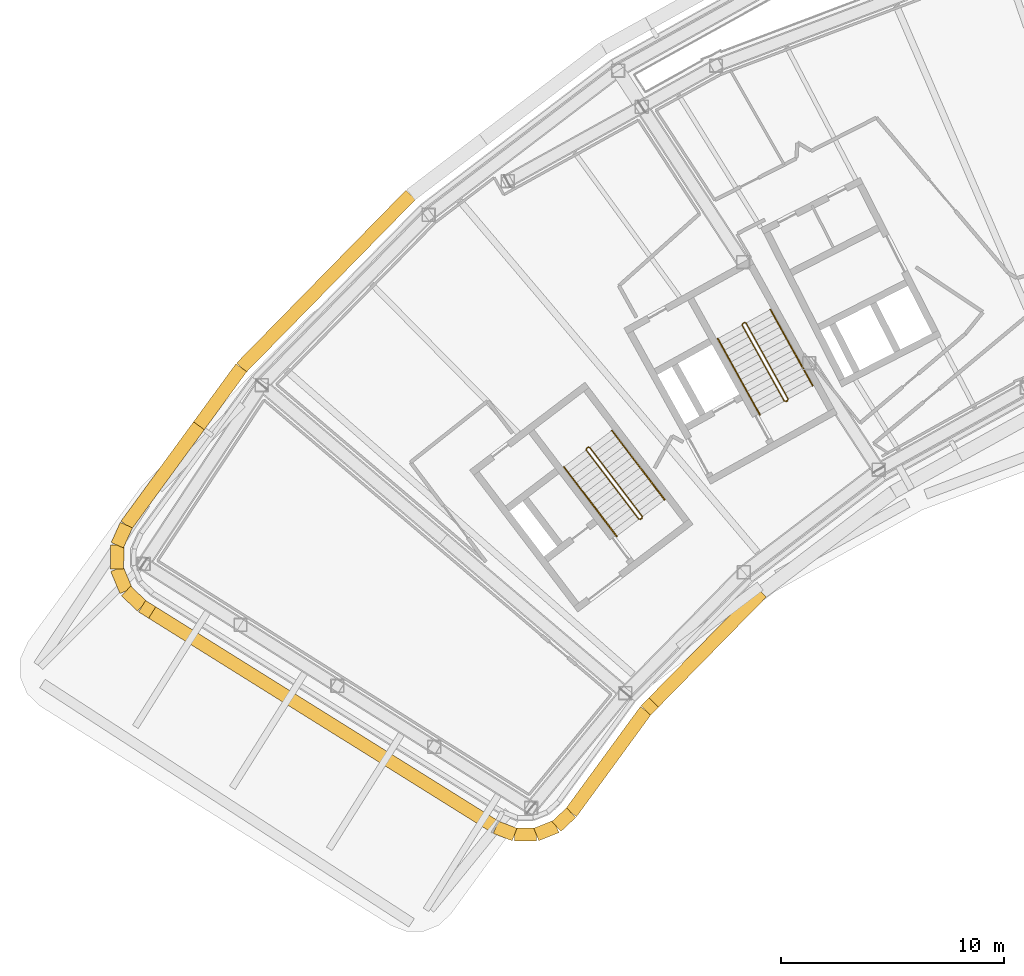
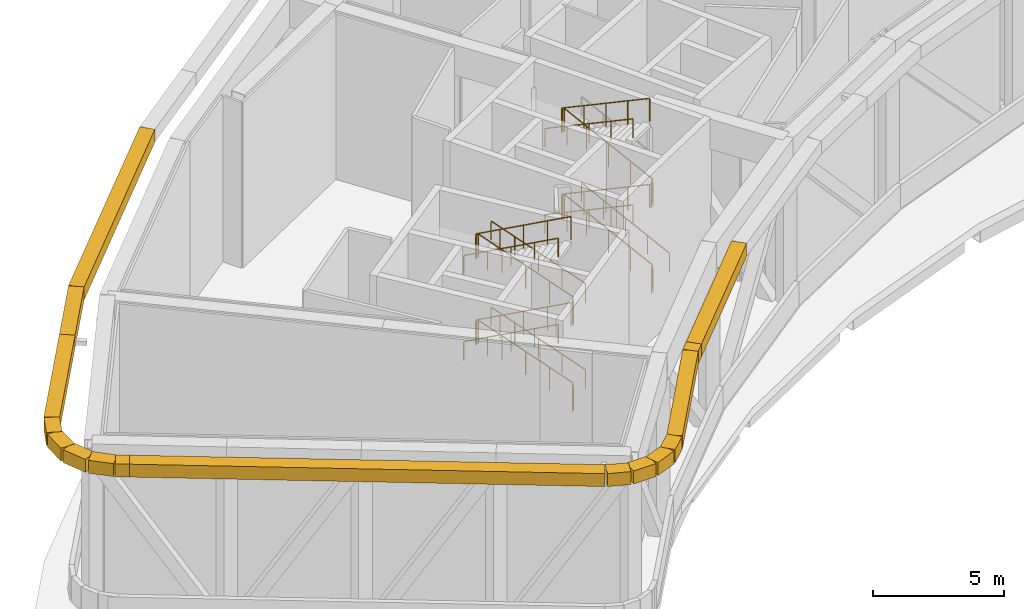
# One storey, part 21 of 27: 16 coverings, 9 railings.
"""IFC4 building model written with IfcOpenShell, lengths in metres."""

from ifc_helpers import new_model, si_unit, direction, frame, origin, origin_2d, place, context, subcontext, project, spatial, rectangle, circle, extrude, material, material_profile, profile_set, type_object, element, save


model = new_model("IFC4")

# Units and contexts
model_context = context("Model", 3, precision=1e-05, world=origin(), true_north=direction((0.0, 1.0)))
body_context = subcontext(model_context, "Body", "Model", "MODEL_VIEW")
ifc_project = project(units=[si_unit("LENGTHUNIT", "METRE"), si_unit("AREAUNIT", "SQUARE_METRE"), si_unit("VOLUMEUNIT", "CUBIC_METRE"), si_unit("PLANEANGLEUNIT", "RADIAN"), si_unit("MASSUNIT", "GRAM", prefix="KILO")], contexts=[model_context])

# Site, building, storey
site_placement = place(None, origin())
site = spatial("IfcSite", under=ifc_project, at=site_placement, CompositionType="ELEMENT")
building_placement = place(site_placement, origin())
building = spatial("IfcBuilding", under=site, at=building_placement, Name="Tuul Gate Civic Tower", CompositionType="ELEMENT")
storey_placement = place(building_placement, frame((0.0, 0.0, 201.5)))
storey = spatial("IfcBuildingStorey", under=building, at=storey_placement, Name="Wind floor 1", CompositionType="ELEMENT", Elevation=201.5)

# Railings
ifc_material_1 = material(Name="Painted steel", Category="steel")
railing_type_1 = type_object("IfcRailingType", Name="Stair guard", PredefinedType="GUARDRAIL", material=ifc_material_1)
railing_1_placement = place(storey_placement, frame((-33.382080078125, -13.515380859375, 0.0)))
element("IfcRailing", 1, at=railing_1_placement, inside=storey, type_object=railing_type_1, Name="Wind floor 1 ST-1 stair guard 1", PredefinedType="GUARDRAIL", context=body_context, shape_type="SweptSolid", body=[
    extrude(circle(Radius=0.02392578125, at=origin_2d()), frame((0.0, 0.0, 1.076171875), z_axis=(-0.795879841968, -0.605454603706, 0.0), x_axis=(0.605454603706, -0.795879841968, 0.0)), (0.0, 0.0, 1.0), 0.10009765625),
    extrude(circle(Radius=0.02392578125, at=origin_2d()), frame((-0.07958984375, -0.060546875, 1.076171875), z_axis=(0.418223097121, 0.613011936876, 0.670302772098), x_axis=(-0.826063974707, 0.563576356576, 0.0)), (0.0, 0.0, 1.0), 0.213134765625),
    extrude(circle(Radius=0.02392578125, at=origin_2d()), frame((0.009521484375, 0.070068359375, 1.21875), z_axis=(-0.546928435386, 0.718348704532, 0.429935373357), x_axis=(-0.795637165283, -0.60577347352, 0.0)), (0.0, 0.0, 1.0), 4.319580078125),
    extrude(circle(Radius=0.02392578125, at=origin_2d()), frame((-2.35302734375, 3.173095703125, 3.076171875), z_axis=(-0.990893089246, 0.134650977284, 0.0), x_axis=(-0.134650977284, -0.990893089246, 0.0)), (0.0, 0.0, 1.0), 0.07080078125),
    extrude(circle(Radius=0.02392578125, at=origin_2d()), frame((-2.423095703125, 3.1826171875, 3.076171875), z_axis=(-0.793802879778, -0.60817512943, 0.0), x_axis=(0.60817512943, -0.793802879778, 0.0)), (0.0, 0.0, 1.0), 0.099853515625),
    extrude(circle(Radius=0.02392578125, at=origin_2d()), frame((-2.50244140625, 3.121826171875, 3.076171875), z_axis=(-0.059744949149, -0.439661548869, 0.896174237242), x_axis=(0.990893089246, -0.134650977284, 0.0)), (0.0, 0.0, 1.0), 0.159423828125),
    extrude(circle(Radius=0.02392578125, at=origin_2d()), frame((-2.511962890625, 3.0517578125, 3.21875), z_axis=(0.546911027036, -0.718343555457, 0.429966120573), x_axis=(0.795644365679, 0.605764016233, 0.0)), (0.0, 0.0, 1.0), 4.3193359375),
    extrude(circle(Radius=0.02392578125, at=origin_2d()), frame((-0.149658203125, -0.051025390625, 5.076171875), z_axis=(0.946499470085, 0.32270536582, 0.0), x_axis=(-0.32270536582, 0.946499470085, 0.0)), (0.0, 0.0, 1.0), 0.158203125),
    extrude(circle(Radius=0.02392578125, at=origin_2d()), frame((0.0, 0.0, 5.076171875), z_axis=(-0.795879841968, -0.605454603706, 0.0), x_axis=(0.605454603706, -0.795879841968, 0.0)), (0.0, 0.0, 1.0), 0.10009765625),
    extrude(circle(Radius=0.02392578125, at=origin_2d()), frame((-0.07958984375, -0.060546875, 5.076171875), z_axis=(0.418223097121, 0.613011936876, 0.670302772098), x_axis=(-0.826063974707, 0.563576356576, 0.0)), (0.0, 0.0, 1.0), 0.213134765625),
    extrude(circle(Radius=0.02392578125, at=origin_2d()), frame((0.009521484375, 0.070068359375, 5.21875), z_axis=(-0.546928435386, 0.718348704532, 0.429935373357), x_axis=(-0.795637165283, -0.60577347352, 0.0)), (0.0, 0.0, 1.0), 4.319580078125),
    extrude(circle(Radius=0.02392578125, at=origin_2d()), frame((-2.35302734375, 3.173095703125, 7.076171875), z_axis=(-0.990893089246, 0.134650977284, 0.0), x_axis=(-0.134650977284, -0.990893089246, 0.0)), (0.0, 0.0, 1.0), 0.07080078125),
    extrude(circle(Radius=0.02392578125, at=origin_2d()), frame((-2.423095703125, 3.1826171875, 7.076171875), z_axis=(-0.793802879778, -0.60817512943, 0.0), x_axis=(0.60817512943, -0.793802879778, 0.0)), (0.0, 0.0, 1.0), 0.099853515625),
    extrude(circle(Radius=0.02392578125, at=origin_2d()), frame((-2.50244140625, 3.121826171875, 7.076171875), z_axis=(-0.059744949149, -0.439661548869, 0.896174237242), x_axis=(0.990893089246, -0.134650977284, 0.0)), (0.0, 0.0, 1.0), 0.159423828125),
    extrude(circle(Radius=0.02392578125, at=origin_2d()), frame((-2.511962890625, 3.0517578125, 7.21875), z_axis=(0.546911027036, -0.718343555457, 0.429966120573), x_axis=(0.795644365679, 0.605764016233, 0.0)), (0.0, 0.0, 1.0), 4.3193359375),
    extrude(circle(Radius=0.02099609375, at=origin_2d()), origin(), (0.0, 0.0, 1.0), 1.052001953125),
    extrude(circle(Radius=0.02099609375, at=origin_2d()), frame((-0.07958984375, -0.060546875, 0.0)), (0.0, 0.0, 1.0), 1.052001953125),
    extrude(circle(Radius=0.02099609375, at=origin_2d()), frame((0.009521484375, 0.070068359375, 0.142822265625)), (0.0, 0.0, 1.0), 1.052001953125),
    extrude(circle(Radius=0.02099609375, at=origin_2d()), frame((-0.5810546875, 0.845703125, 0.607177734375)), (0.0, 0.0, 1.0), 1.052001953125),
    extrude(circle(Radius=0.02099609375, at=origin_2d()), frame((-1.171875, 1.62158203125, 1.0712890625)), (0.0, 0.0, 1.0), 1.052001953125),
    extrude(circle(Radius=0.02099609375, at=origin_2d()), frame((-1.762451171875, 2.3974609375, 1.53564453125)), (0.0, 0.0, 1.0), 1.052001953125),
    extrude(circle(Radius=0.02099609375, at=origin_2d()), frame((-2.35302734375, 3.173095703125, 2.0)), (0.0, 0.0, 1.0), 1.052001953125),
    extrude(circle(Radius=0.02099609375, at=origin_2d()), frame((-2.423095703125, 3.1826171875, 2.0)), (0.0, 0.0, 1.0), 1.052001953125),
    extrude(circle(Radius=0.02099609375, at=origin_2d()), frame((-2.50244140625, 3.121826171875, 2.0)), (0.0, 0.0, 1.0), 1.052001953125),
    extrude(circle(Radius=0.02099609375, at=origin_2d()), frame((-2.511962890625, 3.0517578125, 2.142822265625)), (0.0, 0.0, 1.0), 1.052001953125),
    extrude(circle(Radius=0.02099609375, at=origin_2d()), frame((-1.92138671875, 2.276123046875, 2.607177734375)), (0.0, 0.0, 1.0), 1.052001953125),
    extrude(circle(Radius=0.02099609375, at=origin_2d()), frame((-1.330810546875, 1.50048828125, 3.0712890625)), (0.0, 0.0, 1.0), 1.052001953125),
    extrude(circle(Radius=0.02099609375, at=origin_2d()), frame((-0.740234375, 0.724609375, 3.53564453125)), (0.0, 0.0, 1.0), 1.052001953125),
    extrude(circle(Radius=0.02099609375, at=origin_2d()), frame((-0.149658203125, -0.051025390625, 4.0)), (0.0, 0.0, 1.0), 1.052001953125),
    extrude(circle(Radius=0.02099609375, at=origin_2d()), frame((0.0, 0.0, 4.0)), (0.0, 0.0, 1.0), 1.052001953125),
    extrude(circle(Radius=0.02099609375, at=origin_2d()), frame((-0.07958984375, -0.060546875, 4.0)), (0.0, 0.0, 1.0), 1.052001953125),
    extrude(circle(Radius=0.02099609375, at=origin_2d()), frame((0.009521484375, 0.070068359375, 4.142822265625)), (0.0, 0.0, 1.0), 1.052001953125),
    extrude(circle(Radius=0.02099609375, at=origin_2d()), frame((-0.5810546875, 0.845703125, 4.607177734375)), (0.0, 0.0, 1.0), 1.052001953125),
    extrude(circle(Radius=0.02099609375, at=origin_2d()), frame((-1.171875, 1.62158203125, 5.0712890625)), (0.0, 0.0, 1.0), 1.052001953125),
    extrude(circle(Radius=0.02099609375, at=origin_2d()), frame((-1.762451171875, 2.3974609375, 5.53564453125)), (0.0, 0.0, 1.0), 1.052001953125),
    extrude(circle(Radius=0.02099609375, at=origin_2d()), frame((-2.35302734375, 3.173095703125, 6.0)), (0.0, 0.0, 1.0), 1.052001953125),
    extrude(circle(Radius=0.02099609375, at=origin_2d()), frame((-2.423095703125, 3.1826171875, 6.0)), (0.0, 0.0, 1.0), 1.052001953125),
    extrude(circle(Radius=0.02099609375, at=origin_2d()), frame((-2.50244140625, 3.121826171875, 6.0)), (0.0, 0.0, 1.0), 1.052001953125),
    extrude(circle(Radius=0.02099609375, at=origin_2d()), frame((-2.511962890625, 3.0517578125, 6.142822265625)), (0.0, 0.0, 1.0), 1.052001953125),
    extrude(circle(Radius=0.02099609375, at=origin_2d()), frame((-1.92138671875, 2.276123046875, 6.607177734375)), (0.0, 0.0, 1.0), 1.052001953125),
    extrude(circle(Radius=0.02099609375, at=origin_2d()), frame((-1.330810546875, 1.50048828125, 7.0712890625)), (0.0, 0.0, 1.0), 1.052001953125),
    extrude(circle(Radius=0.02099609375, at=origin_2d()), frame((-0.740234375, 0.724609375, 7.53564453125)), (0.0, 0.0, 1.0), 1.052001953125),
    extrude(circle(Radius=0.02099609375, at=origin_2d()), frame((-0.149658203125, -0.051025390625, 8.0)), (0.0, 0.0, 1.0), 1.052001953125),
])
railing_2_placement = place(storey_placement, frame((-26.857666015625, -8.247314453125, 0.0)))
element("IfcRailing", 2, at=railing_2_placement, inside=storey, type_object=railing_type_1, Name="Wind floor 1 ST-2 stair guard 1", PredefinedType="GUARDRAIL", context=body_context, shape_type="SweptSolid", body=[
    extrude(circle(Radius=0.02392578125, at=origin_2d()), frame((0.0, 0.0, 1.076171875), z_axis=(-0.874616555828, -0.48481530532, 0.0), x_axis=(0.48481530532, -0.874616555828, 0.0)), (0.0, 0.0, 1.0), 0.10009765625),
    extrude(circle(Radius=0.02392578125, at=origin_2d()), frame((-0.087646484375, -0.048583984375, 1.076171875), z_axis=(0.501893086122, 0.54658219653, 0.670336656121), x_axis=(-0.736576986774, 0.676353711126, 0.0)), (0.0, 0.0, 1.0), 0.213134765625),
    extrude(circle(Radius=0.02392578125, at=origin_2d()), frame((0.019287109375, 0.06787109375, 1.21875), z_axis=(-0.437634173363, 0.789697103219, 0.429947456641), x_axis=(-0.874667644053, -0.484723129681, 0.0)), (0.0, 0.0, 1.0), 4.319580078125),
    extrude(circle(Radius=0.02392578125, at=origin_2d()), frame((-1.87109375, 3.47900390625, 3.076171875), z_axis=(-0.961263487578, 0.275631107549, 0.0), x_axis=(-0.275631107549, -0.961263487578, 0.0)), (0.0, 0.0, 1.0), 0.07080078125),
    extrude(circle(Radius=0.02392578125, at=origin_2d()), frame((-1.939208984375, 3.49853515625, 3.076171875), z_axis=(-0.874042088414, -0.485850211157, 0.0), x_axis=(0.485850211157, -0.874042088414, 0.0)), (0.0, 0.0, 1.0), 0.10009765625),
    extrude(circle(Radius=0.02392578125, at=origin_2d()), frame((-2.026611328125, 3.449951171875, 3.076171875), z_axis=(-0.122583376132, -0.425977232058, 0.896390937964), x_axis=(0.961000426733, -0.276546885391, 0.0)), (0.0, 0.0, 1.0), 0.159423828125),
    extrude(circle(Radius=0.02392578125, at=origin_2d()), frame((-2.046142578125, 3.382080078125, 3.21875), z_axis=(0.43767986673, -0.789677569467, 0.429936821567), x_axis=(0.874641102302, 0.484771020343, 0.0)), (0.0, 0.0, 1.0), 4.319580078125),
    extrude(circle(Radius=0.02392578125, at=origin_2d()), frame((-0.155517578125, -0.029052734375, 5.076171875), z_axis=(0.98299425886, 0.183636290117, 0.0), x_axis=(-0.183636290117, 0.98299425886, 0.0)), (0.0, 0.0, 1.0), 0.158203125),
    extrude(circle(Radius=0.02392578125, at=origin_2d()), frame((0.0, 0.0, 5.076171875), z_axis=(-0.874616555828, -0.48481530532, 0.0), x_axis=(0.48481530532, -0.874616555828, 0.0)), (0.0, 0.0, 1.0), 0.10009765625),
    extrude(circle(Radius=0.02392578125, at=origin_2d()), frame((-0.087646484375, -0.048583984375, 5.076171875), z_axis=(0.501893086122, 0.54658219653, 0.670336656121), x_axis=(-0.736576986774, 0.676353711126, 0.0)), (0.0, 0.0, 1.0), 0.213134765625),
    extrude(circle(Radius=0.02392578125, at=origin_2d()), frame((0.019287109375, 0.06787109375, 5.21875), z_axis=(-0.437634173363, 0.789697103219, 0.429947456641), x_axis=(-0.874667644053, -0.484723129681, 0.0)), (0.0, 0.0, 1.0), 4.319580078125),
    extrude(circle(Radius=0.02392578125, at=origin_2d()), frame((-1.87109375, 3.47900390625, 7.076171875), z_axis=(-0.961263487578, 0.275631107549, 0.0), x_axis=(-0.275631107549, -0.961263487578, 0.0)), (0.0, 0.0, 1.0), 0.07080078125),
    extrude(circle(Radius=0.02392578125, at=origin_2d()), frame((-1.939208984375, 3.49853515625, 7.076171875), z_axis=(-0.874042088414, -0.485850211157, 0.0), x_axis=(0.485850211157, -0.874042088414, 0.0)), (0.0, 0.0, 1.0), 0.10009765625),
    extrude(circle(Radius=0.02392578125, at=origin_2d()), frame((-2.026611328125, 3.449951171875, 7.076171875), z_axis=(-0.122583376132, -0.425977232058, 0.896390937964), x_axis=(0.961000426733, -0.276546885391, 0.0)), (0.0, 0.0, 1.0), 0.159423828125),
    extrude(circle(Radius=0.02392578125, at=origin_2d()), frame((-2.046142578125, 3.382080078125, 7.21875), z_axis=(0.43767986673, -0.789677569467, 0.429936821567), x_axis=(0.874641102302, 0.484771020343, 0.0)), (0.0, 0.0, 1.0), 4.319580078125),
    extrude(circle(Radius=0.02099609375, at=origin_2d()), origin(), (0.0, 0.0, 1.0), 1.052001953125),
    extrude(circle(Radius=0.02099609375, at=origin_2d()), frame((-0.087646484375, -0.048583984375, 0.0)), (0.0, 0.0, 1.0), 1.052001953125),
    extrude(circle(Radius=0.02099609375, at=origin_2d()), frame((0.019287109375, 0.06787109375, 0.142822265625)), (0.0, 0.0, 1.0), 1.052001953125),
    extrude(circle(Radius=0.02099609375, at=origin_2d()), frame((-0.453369140625, 0.920654296875, 0.607177734375)), (0.0, 0.0, 1.0), 1.052001953125),
    extrude(circle(Radius=0.02099609375, at=origin_2d()), frame((-0.92578125, 1.7734375, 1.0712890625)), (0.0, 0.0, 1.0), 1.052001953125),
    extrude(circle(Radius=0.02099609375, at=origin_2d()), frame((-1.3984375, 2.626220703125, 1.53564453125)), (0.0, 0.0, 1.0), 1.052001953125),
    extrude(circle(Radius=0.02099609375, at=origin_2d()), frame((-1.87109375, 3.47900390625, 2.0)), (0.0, 0.0, 1.0), 1.052001953125),
    extrude(circle(Radius=0.02099609375, at=origin_2d()), frame((-1.939208984375, 3.49853515625, 2.0)), (0.0, 0.0, 1.0), 1.052001953125),
    extrude(circle(Radius=0.02099609375, at=origin_2d()), frame((-2.026611328125, 3.449951171875, 2.0)), (0.0, 0.0, 1.0), 1.052001953125),
    extrude(circle(Radius=0.02099609375, at=origin_2d()), frame((-2.046142578125, 3.382080078125, 2.142822265625)), (0.0, 0.0, 1.0), 1.052001953125),
    extrude(circle(Radius=0.02099609375, at=origin_2d()), frame((-1.573486328125, 2.529296875, 2.607177734375)), (0.0, 0.0, 1.0), 1.052001953125),
    extrude(circle(Radius=0.02099609375, at=origin_2d()), frame((-1.100830078125, 1.676513671875, 3.0712890625)), (0.0, 0.0, 1.0), 1.052001953125),
    extrude(circle(Radius=0.02099609375, at=origin_2d()), frame((-0.628173828125, 0.82373046875, 3.53564453125)), (0.0, 0.0, 1.0), 1.052001953125),
    extrude(circle(Radius=0.02099609375, at=origin_2d()), frame((-0.155517578125, -0.029052734375, 4.0)), (0.0, 0.0, 1.0), 1.052001953125),
    extrude(circle(Radius=0.02099609375, at=origin_2d()), frame((0.0, 0.0, 4.0)), (0.0, 0.0, 1.0), 1.052001953125),
    extrude(circle(Radius=0.02099609375, at=origin_2d()), frame((-0.087646484375, -0.048583984375, 4.0)), (0.0, 0.0, 1.0), 1.052001953125),
    extrude(circle(Radius=0.02099609375, at=origin_2d()), frame((0.019287109375, 0.06787109375, 4.142822265625)), (0.0, 0.0, 1.0), 1.052001953125),
    extrude(circle(Radius=0.02099609375, at=origin_2d()), frame((-0.453369140625, 0.920654296875, 4.607177734375)), (0.0, 0.0, 1.0), 1.052001953125),
    extrude(circle(Radius=0.02099609375, at=origin_2d()), frame((-0.92578125, 1.7734375, 5.0712890625)), (0.0, 0.0, 1.0), 1.052001953125),
    extrude(circle(Radius=0.02099609375, at=origin_2d()), frame((-1.3984375, 2.626220703125, 5.53564453125)), (0.0, 0.0, 1.0), 1.052001953125),
    extrude(circle(Radius=0.02099609375, at=origin_2d()), frame((-1.87109375, 3.47900390625, 6.0)), (0.0, 0.0, 1.0), 1.052001953125),
    extrude(circle(Radius=0.02099609375, at=origin_2d()), frame((-1.939208984375, 3.49853515625, 6.0)), (0.0, 0.0, 1.0), 1.052001953125),
    extrude(circle(Radius=0.02099609375, at=origin_2d()), frame((-2.026611328125, 3.449951171875, 6.0)), (0.0, 0.0, 1.0), 1.052001953125),
    extrude(circle(Radius=0.02099609375, at=origin_2d()), frame((-2.046142578125, 3.382080078125, 6.142822265625)), (0.0, 0.0, 1.0), 1.052001953125),
    extrude(circle(Radius=0.02099609375, at=origin_2d()), frame((-1.573486328125, 2.529296875, 6.607177734375)), (0.0, 0.0, 1.0), 1.052001953125),
    extrude(circle(Radius=0.02099609375, at=origin_2d()), frame((-1.100830078125, 1.676513671875, 7.0712890625)), (0.0, 0.0, 1.0), 1.052001953125),
    extrude(circle(Radius=0.02099609375, at=origin_2d()), frame((-0.628173828125, 0.82373046875, 7.53564453125)), (0.0, 0.0, 1.0), 1.052001953125),
    extrude(circle(Radius=0.02099609375, at=origin_2d()), frame((-0.155517578125, -0.029052734375, 8.0)), (0.0, 0.0, 1.0), 1.052001953125),
])
ifc_material_2 = material(Name="Painted steel", Category="steel")
railing_type_2 = type_object("IfcRailingType", Name="Stair handrail", PredefinedType="HANDRAIL", material=ifc_material_2)
railing_3_placement = place(storey_placement, frame((-32.3779296875, -12.688232421875, 0.142822265625)))
element("IfcRailing", 3, at=railing_3_placement, inside=storey, type_object=railing_type_2, Name="Wind floor 1 ST-1 stair handrail 1", PredefinedType="HANDRAIL", context=body_context, shape_type="SweptSolid", body=[
    extrude(circle(Radius=0.02392578125, at=origin_2d()), frame((0.0, 0.0, 0.8759765625), z_axis=(-0.546928435386, 0.718348704532, 0.429935373357), x_axis=(-0.795637165283, -0.60577347352, 0.0)), (0.0, 0.0, 1.0), 4.319580078125),
    extrude(circle(Radius=0.02099609375, at=origin_2d()), origin(), (0.0, 0.0, 1.0), 0.851806640625),
    extrude(circle(Radius=0.02099609375, at=origin_2d()), frame((-0.590576171875, 0.77587890625, 0.46435546875)), (0.0, 0.0, 1.0), 0.851806640625),
    extrude(circle(Radius=0.02099609375, at=origin_2d()), frame((-1.18115234375, 1.551513671875, 0.9287109375)), (0.0, 0.0, 1.0), 0.851806640625),
    extrude(circle(Radius=0.02099609375, at=origin_2d()), frame((-1.77197265625, 2.3271484375, 1.392822265625)), (0.0, 0.0, 1.0), 0.851806640625),
    extrude(circle(Radius=0.02099609375, at=origin_2d()), frame((-2.362548828125, 3.10302734375, 1.857177734375)), (0.0, 0.0, 1.0), 0.851806640625),
])
railing_4_placement = place(storey_placement, frame((-36.888671875, -11.220703125, 2.142822265625)))
element("IfcRailing", 4, at=railing_4_placement, inside=storey, type_object=railing_type_2, Name="Wind floor 1 ST-1 stair handrail 2", PredefinedType="HANDRAIL", context=body_context, shape_type="SweptSolid", body=[
    extrude(circle(Radius=0.02392578125, at=origin_2d()), frame((0.0, 0.0, 0.8759765625), z_axis=(0.546928435386, -0.718348704532, 0.429935373357), x_axis=(0.795637165283, 0.60577347352, 0.0)), (0.0, 0.0, 1.0), 4.319580078125),
    extrude(circle(Radius=0.02099609375, at=origin_2d()), origin(), (0.0, 0.0, 1.0), 0.851806640625),
    extrude(circle(Radius=0.02099609375, at=origin_2d()), frame((0.590576171875, -0.77587890625, 0.46435546875)), (0.0, 0.0, 1.0), 0.851806640625),
    extrude(circle(Radius=0.02099609375, at=origin_2d()), frame((1.18115234375, -1.551513671875, 0.9287109375)), (0.0, 0.0, 1.0), 0.851806640625),
    extrude(circle(Radius=0.02099609375, at=origin_2d()), frame((1.77197265625, -2.3271484375, 1.392822265625)), (0.0, 0.0, 1.0), 0.851806640625),
    extrude(circle(Radius=0.02099609375, at=origin_2d()), frame((2.362548828125, -3.10302734375, 1.857177734375)), (0.0, 0.0, 1.0), 0.851806640625),
])
railing_5_placement = place(storey_placement, frame((-32.3779296875, -12.688232421875, 4.142822265625)))
element("IfcRailing", 5, at=railing_5_placement, inside=storey, type_object=railing_type_2, Name="Wind floor 1 ST-1 stair handrail 3", PredefinedType="HANDRAIL", context=body_context, shape_type="SweptSolid", body=[
    extrude(circle(Radius=0.02392578125, at=origin_2d()), frame((0.0, 0.0, 0.8759765625), z_axis=(-0.546928435386, 0.718348704532, 0.429935373357), x_axis=(-0.795637165283, -0.60577347352, 0.0)), (0.0, 0.0, 1.0), 4.319580078125),
    extrude(circle(Radius=0.02099609375, at=origin_2d()), origin(), (0.0, 0.0, 1.0), 0.851806640625),
    extrude(circle(Radius=0.02099609375, at=origin_2d()), frame((-0.590576171875, 0.77587890625, 0.46435546875)), (0.0, 0.0, 1.0), 0.851806640625),
    extrude(circle(Radius=0.02099609375, at=origin_2d()), frame((-1.18115234375, 1.551513671875, 0.9287109375)), (0.0, 0.0, 1.0), 0.851806640625),
    extrude(circle(Radius=0.02099609375, at=origin_2d()), frame((-1.77197265625, 2.3271484375, 1.392822265625)), (0.0, 0.0, 1.0), 0.851806640625),
    extrude(circle(Radius=0.02099609375, at=origin_2d()), frame((-2.362548828125, 3.10302734375, 1.857177734375)), (0.0, 0.0, 1.0), 0.851806640625),
])
railing_6_placement = place(storey_placement, frame((-36.888671875, -11.220703125, 6.142822265625)))
element("IfcRailing", 6, at=railing_6_placement, inside=storey, type_object=railing_type_2, Name="Wind floor 1 ST-1 stair handrail 4", PredefinedType="HANDRAIL", context=body_context, shape_type="SweptSolid", body=[
    extrude(circle(Radius=0.02392578125, at=origin_2d()), frame((0.0, 0.0, 0.8759765625), z_axis=(0.546928435386, -0.718348704532, 0.429935373357), x_axis=(0.795637165283, 0.60577347352, 0.0)), (0.0, 0.0, 1.0), 4.319580078125),
    extrude(circle(Radius=0.02099609375, at=origin_2d()), origin(), (0.0, 0.0, 1.0), 0.851806640625),
    extrude(circle(Radius=0.02099609375, at=origin_2d()), frame((0.590576171875, -0.77587890625, 0.46435546875)), (0.0, 0.0, 1.0), 0.851806640625),
    extrude(circle(Radius=0.02099609375, at=origin_2d()), frame((1.18115234375, -1.551513671875, 0.9287109375)), (0.0, 0.0, 1.0), 0.851806640625),
    extrude(circle(Radius=0.02099609375, at=origin_2d()), frame((1.77197265625, -2.3271484375, 1.392822265625)), (0.0, 0.0, 1.0), 0.851806640625),
    extrude(circle(Radius=0.02099609375, at=origin_2d()), frame((2.362548828125, -3.10302734375, 1.857177734375)), (0.0, 0.0, 1.0), 0.851806640625),
])
railing_7_placement = place(storey_placement, frame((-25.744873046875, -7.573486328125, 0.142822265625)))
element("IfcRailing", 7, at=railing_7_placement, inside=storey, type_object=railing_type_2, Name="Wind floor 1 ST-2 stair handrail 1", PredefinedType="HANDRAIL", context=body_context, shape_type="SweptSolid", body=[
    extrude(circle(Radius=0.02392578125, at=origin_2d()), frame((0.0, 0.0, 0.8759765625), z_axis=(-0.43767986673, 0.789677569467, 0.429936821567), x_axis=(-0.874641102302, -0.484771020343, 0.0)), (0.0, 0.0, 1.0), 4.319580078125),
    extrude(circle(Radius=0.02099609375, at=origin_2d()), origin(), (0.0, 0.0, 1.0), 0.851806640625),
    extrude(circle(Radius=0.02099609375, at=origin_2d()), frame((-0.47265625, 0.852783203125, 0.46435546875)), (0.0, 0.0, 1.0), 0.851806640625),
    extrude(circle(Radius=0.02099609375, at=origin_2d()), frame((-0.9453125, 1.70556640625, 0.9287109375)), (0.0, 0.0, 1.0), 0.851806640625),
    extrude(circle(Radius=0.02099609375, at=origin_2d()), frame((-1.41796875, 2.558349609375, 1.392822265625)), (0.0, 0.0, 1.0), 0.851806640625),
    extrude(circle(Radius=0.02099609375, at=origin_2d()), frame((-1.890625, 3.4111328125, 1.857177734375)), (0.0, 0.0, 1.0), 0.851806640625),
])
for number, where, name in (
    (8, (-29.9970703125, -5.47119140625, 2.142822265625), "Wind floor 1 ST-2 stair handrail 2"),
    (9, (-29.9970703125, -5.47119140625, 6.142822265625), "Wind floor 1 ST-2 stair handrail 4"),
):
    element("IfcRailing", number, at=place(storey_placement, frame(where)), inside=storey, type_object=railing_type_2, Name=name, PredefinedType="HANDRAIL", context=body_context, shape_type="SweptSolid", body=[
        extrude(circle(Radius=0.02392578125, at=origin_2d()), frame((0.0, 0.0, 0.8759765625), z_axis=(0.43767986673, -0.789677569467, 0.429936821567), x_axis=(0.874641102302, 0.484771020343, 0.0)), (0.0, 0.0, 1.0), 4.319580078125),
        extrude(circle(Radius=0.02099609375, at=origin_2d()), origin(), (0.0, 0.0, 1.0), 0.851806640625),
        extrude(circle(Radius=0.02099609375, at=origin_2d()), frame((0.47265625, -0.852783203125, 0.46435546875)), (0.0, 0.0, 1.0), 0.851806640625),
        extrude(circle(Radius=0.02099609375, at=origin_2d()), frame((0.9453125, -1.70556640625, 0.9287109375)), (0.0, 0.0, 1.0), 0.851806640625),
        extrude(circle(Radius=0.02099609375, at=origin_2d()), frame((1.41796875, -2.558349609375, 1.392822265625)), (0.0, 0.0, 1.0), 0.851806640625),
        extrude(circle(Radius=0.02099609375, at=origin_2d()), frame((1.890625, -3.4111328125, 1.857177734375)), (0.0, 0.0, 1.0), 0.851806640625),
    ])

# Coverings
ifc_material_3 = material(Name="Terracotta baguette", Category="masonry")
ifc_material_profile = material_profile(ifc_material_3, rectangle(XDim=0.60009765625, YDim=0.60009765625, at=origin_2d()), Name="Terracotta baguette screen frame")
ifc_profile_set = profile_set([ifc_material_profile], Name="Terracotta baguette")
covering_type = type_object("IfcCoveringType", Name="Terracotta baguette screen frame", PredefinedType="CLADDING", material=ifc_profile_set)
covering_1_placement = place(storey_placement, frame((-53.25, -9.3740234375, 7.64990234375), z_axis=(-0.589871149902, -0.807497384834, 0.0), x_axis=(0.807497384834, -0.589871149902, 0.0)))
element("IfcCovering", 10, at=covering_1_placement, inside=storey, type_object=covering_type, Name="Baguette 129", PredefinedType="CLADDING", context=body_context, shape_type="SweptSolid", body=[
    extrude(rectangle(XDim=0.60009765625, YDim=0.60009765625, at=origin_2d()), origin(), (0.0, 0.0, 1.0), 5.513916015625),
])
covering_2_placement = place(storey_placement, frame((-56.50244140625, -13.826416015625, 7.64990234375), z_axis=(-0.411904289645, -0.911227115582, 0.0), x_axis=(0.911227115582, -0.411904289645, 0.0)))
element("IfcCovering", 11, at=covering_2_placement, inside=storey, type_object=covering_type, Name="Baguette 130", PredefinedType="CLADDING", context=body_context, shape_type="SweptSolid", body=[
    extrude(rectangle(XDim=0.60009765625, YDim=0.60009765625, at=origin_2d()), origin(), (0.0, 0.0, 1.0), 0.988525390625),
])
covering_3_placement = place(storey_placement, frame((-56.90966796875, -14.727294921875, 7.64990234375), z_axis=(-0.014657151856, -0.99989257818, 0.0), x_axis=(0.99989257818, -0.014657151856, 0.0)))
element("IfcCovering", 12, at=covering_3_placement, inside=storey, type_object=covering_type, Name="Baguette 131", PredefinedType="CLADDING", context=body_context, shape_type="SweptSolid", body=[
    extrude(rectangle(XDim=0.60009765625, YDim=0.60009765625, at=origin_2d()), origin(), (0.0, 0.0, 1.0), 1.06591796875),
])
covering_4_placement = place(storey_placement, frame((-56.92529296875, -15.793212890625, 7.64990234375), z_axis=(0.385784883999, -0.922588761734, 0.0), x_axis=(0.922588761734, 0.385784883999, 0.0)))
element("IfcCovering", 13, at=covering_4_placement, inside=storey, type_object=covering_type, Name="Baguette 132", PredefinedType="CLADDING", context=body_context, shape_type="SweptSolid", body=[
    extrude(rectangle(XDim=0.60009765625, YDim=0.60009765625, at=origin_2d()), origin(), (0.0, 0.0, 1.0), 1.06689453125),
])
covering_5_placement = place(storey_placement, frame((-56.513671875, -16.777587890625, 7.64990234375), z_axis=(0.722137314744, -0.691749737011, 0.0), x_axis=(0.691749737011, 0.722137314744, 0.0)))
element("IfcCovering", 14, at=covering_5_placement, inside=storey, type_object=covering_type, Name="Baguette 133", PredefinedType="CLADDING", context=body_context, shape_type="SweptSolid", body=[
    extrude(rectangle(XDim=0.60009765625, YDim=0.60009765625, at=origin_2d()), origin(), (0.0, 0.0, 1.0), 0.98828125),
])
covering_6_placement = place(storey_placement, frame((-55.800048828125, -17.461181640625, 7.64990234375), z_axis=(0.848253589781, -0.529590263717, 0.0), x_axis=(0.529590263717, 0.848253589781, 0.0)))
element("IfcCovering", 15, at=covering_6_placement, inside=storey, type_object=covering_type, Name="Baguette 134", PredefinedType="CLADDING", context=body_context, shape_type="SweptSolid", body=[
    extrude(rectangle(XDim=0.60009765625, YDim=0.60009765625, at=origin_2d()), origin(), (0.0, 0.0, 1.0), 0.537109375),
])
covering_7_placement = place(storey_placement, frame((-39.944580078125, -27.368408203125, 7.64990234375), z_axis=(0.93189278144, -0.362733847194, 0.0), x_axis=(0.362733847194, 0.93189278144, 0.0)))
element("IfcCovering", 16, at=covering_7_placement, inside=storey, type_object=covering_type, Name="Baguette 158", PredefinedType="CLADDING", context=body_context, shape_type="SweptSolid", body=[
    extrude(rectangle(XDim=0.60009765625, YDim=0.60009765625, at=origin_2d()), origin(), (0.0, 0.0, 1.0), 0.901123046875),
])
covering_8_placement = place(storey_placement, frame((-39.104736328125, -27.6953125, 7.64990234375), z_axis=(0.999996192163, 0.002759648297, 0.0), x_axis=(-0.002759648297, 0.999996192163, 0.0)))
element("IfcCovering", 17, at=covering_8_placement, inside=storey, type_object=covering_type, Name="Baguette 159", PredefinedType="CLADDING", context=body_context, shape_type="SweptSolid", body=[
    extrude(rectangle(XDim=0.60009765625, YDim=0.60009765625, at=origin_2d()), origin(), (0.0, 0.0, 1.0), 0.97314453125),
])
covering_9_placement = place(storey_placement, frame((-38.131591796875, -27.692626953125, 7.64990234375), z_axis=(0.929477054746, 0.368879932634, 0.0), x_axis=(-0.368879932634, 0.929477054746, 0.0)))
element("IfcCovering", 18, at=covering_9_placement, inside=storey, type_object=covering_type, Name="Baguette 160", PredefinedType="CLADDING", context=body_context, shape_type="SweptSolid", body=[
    extrude(rectangle(XDim=0.60009765625, YDim=0.60009765625, at=origin_2d()), origin(), (0.0, 0.0, 1.0), 0.972900390625),
])
covering_10_placement = place(storey_placement, frame((-37.227294921875, -27.333740234375, 7.64990234375), z_axis=(0.730001285686, 0.683445771731, 0.0), x_axis=(-0.683445771731, 0.730001285686, 0.0)))
element("IfcCovering", 19, at=covering_10_placement, inside=storey, type_object=covering_type, Name="Baguette 161", PredefinedType="CLADDING", context=body_context, shape_type="SweptSolid", body=[
    extrude(rectangle(XDim=0.60009765625, YDim=0.60009765625, at=origin_2d()), origin(), (0.0, 0.0, 1.0), 0.902099609375),
])
covering_11_placement = place(storey_placement, frame((-36.56884765625, -26.71728515625, 7.64990234375), z_axis=(0.589841740077, 0.807518867682, 0.0), x_axis=(-0.807518867682, 0.589841740077, 0.0)))
element("IfcCovering", 20, at=covering_11_placement, inside=storey, type_object=covering_type, Name="Baguette 162", PredefinedType="CLADDING", context=body_context, shape_type="SweptSolid", body=[
    extrude(rectangle(XDim=0.60009765625, YDim=0.60009765625, at=origin_2d()), origin(), (0.0, 0.0, 1.0), 5.671875),
])
covering_12_placement = place(storey_placement, frame((-33.223388671875, -22.13720703125, 7.64990234375), z_axis=(0.699894417336, 0.714246319264, 0.0), x_axis=(-0.714246319264, 0.699894417336, 0.0)))
element("IfcCovering", 21, at=covering_12_placement, inside=storey, type_object=covering_type, Name="Baguette 163", PredefinedType="CLADDING", context=body_context, shape_type="SweptSolid", body=[
    extrude(rectangle(XDim=0.60009765625, YDim=0.60009765625, at=origin_2d()), origin(), (0.0, 0.0, 1.0), 0.51025390625),
])
covering_13_placement = place(storey_placement, frame((-43.753662109375, 0.976806640625, 7.64990234375), z_axis=(-0.699995601925, -0.714147153804, 0.0), x_axis=(0.714147153804, -0.699995601925, 0.0)))
element("IfcCovering", 22, at=covering_13_placement, inside=storey, type_object=covering_type, Name="Baguette 387", PredefinedType="CLADDING", context=body_context, shape_type="SweptSolid", body=[
    extrude(rectangle(XDim=0.60009765625, YDim=0.60009765625, at=origin_2d()), origin(), (0.0, 0.0, 1.0), 10.851318359375),
])
covering_14_placement = place(storey_placement, frame((-51.349609375, -6.772705078125, 7.64990234375), z_axis=(-0.58990067871, -0.807475813419, 0.0), x_axis=(0.807475813419, -0.58990067871, 0.0)))
element("IfcCovering", 23, at=covering_14_placement, inside=storey, type_object=covering_type, Name="Baguette 388", PredefinedType="CLADDING", context=body_context, shape_type="SweptSolid", body=[
    extrude(rectangle(XDim=0.60009765625, YDim=0.60009765625, at=origin_2d()), origin(), (0.0, 0.0, 1.0), 3.221435546875),
])
covering_15_placement = place(storey_placement, frame((-55.344482421875, -17.74560546875, 7.64990234375), z_axis=(0.848051326016, -0.529914095342, 0.0), x_axis=(0.529914095342, 0.848051326016, 0.0)))
element("IfcCovering", 24, at=covering_15_placement, inside=storey, type_object=covering_type, Name="Baguette 389", PredefinedType="CLADDING", context=body_context, shape_type="SweptSolid", body=[
    extrude(rectangle(XDim=0.60009765625, YDim=0.60009765625, at=origin_2d()), origin(), (0.0, 0.0, 1.0), 18.106201171875),
])
covering_16_placement = place(storey_placement, frame((-32.8662109375, -21.772705078125, 7.64990234375), z_axis=(0.70003854765, 0.714105056559, 0.0), x_axis=(-0.714105056559, 0.70003854765, 0.0)))
element("IfcCovering", 25, at=covering_16_placement, inside=storey, type_object=covering_type, Name="Baguette 390", PredefinedType="CLADDING", context=body_context, shape_type="SweptSolid", body=[
    extrude(rectangle(XDim=0.60009765625, YDim=0.60009765625, at=origin_2d()), origin(), (0.0, 0.0, 1.0), 6.90771484375),
])

save(model, "model.ifc")
